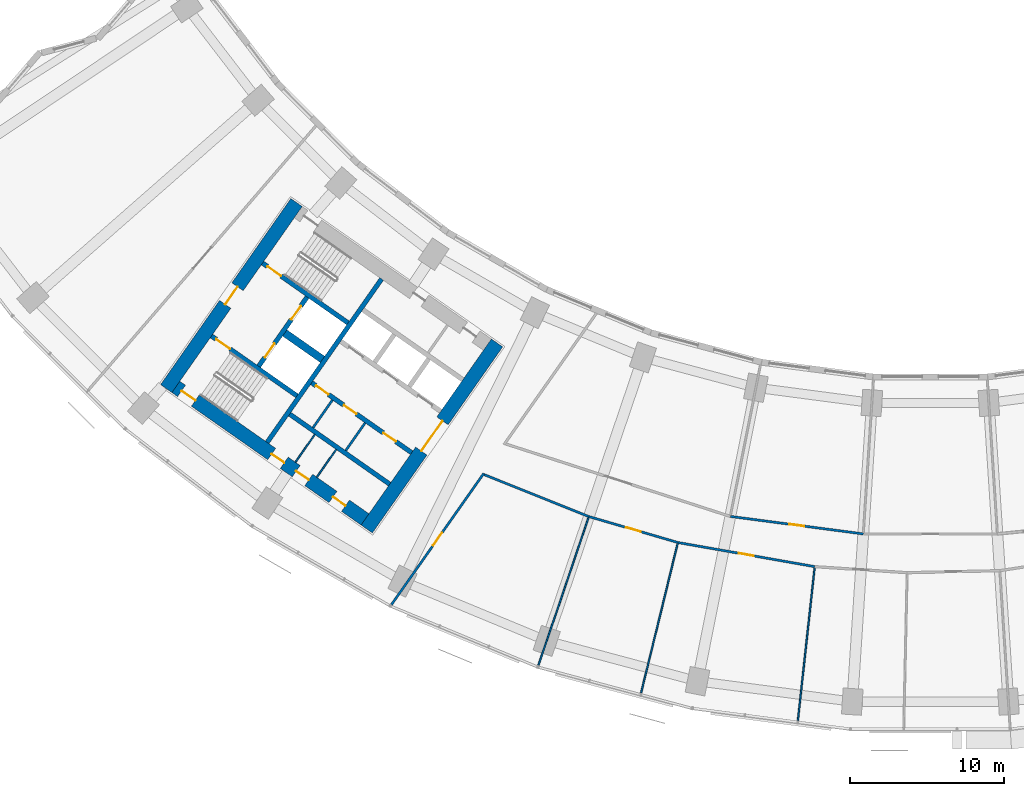
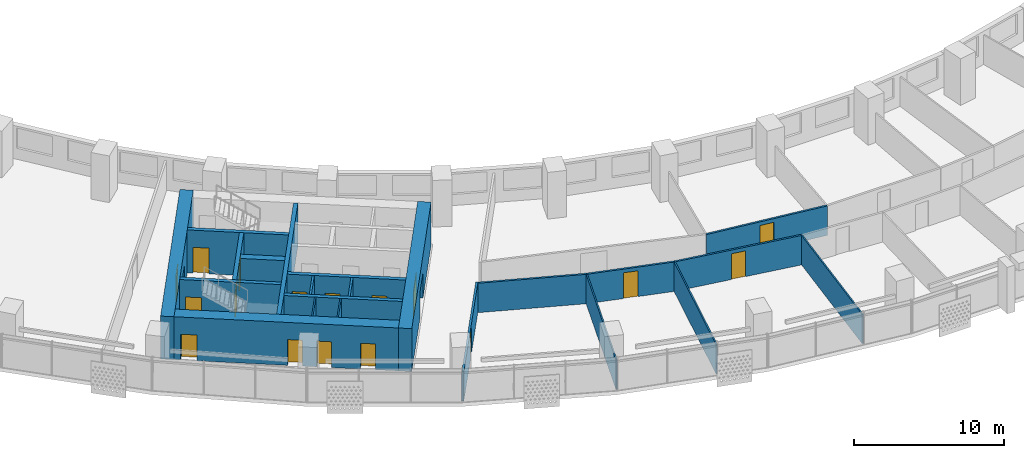
# One storey, part 3 of 31: 22 walls, 17 doors, 17 openings.
"""IFC4 building model written with IfcOpenShell, lengths in metres."""

import ifcopenshell
import ifcopenshell.guid

model = None  # the IFC model being written
_history = None  # IfcOwnerHistory: only IFC2X3 demands one
_inside = {}  # id of a spatial element -> (the spatial element, [elements in it])
_under = {}  # id of a project, library or spatial element -> (it, [spatial elements below it])
_declared = {}  # id of a project -> (the project, [libraries it declares])
_typed = {}  # id of a type object -> (the type object, [elements of that type])
_made_of = {}  # id of a material, layer set ... -> (it, [elements and type objects made of it])


def new_model(schema):
    """Start an empty IFC model of exactly this schema.

    Asked for "IFC4X3", IfcOpenShell would pick the latest addendum, in which some entities
    have other attributes; the version numbers below select the first issue.
    IFC2X3 requires an IfcOwnerHistory on every rooted entity: one is made here for all.
    """
    global model, _history
    if schema == "IFC4X3":
        model = ifcopenshell.file(schema_version=(4, 3, 0, 0))
    else:
        model = ifcopenshell.file(schema=schema)
    _inside.clear()
    _under.clear()
    _declared.clear()
    _typed.clear()
    _made_of.clear()
    _history = None
    if model.schema == "IFC2X3":
        org = make("IfcOrganization", Name="unknown")
        user = make(
            "IfcPersonAndOrganization",
            ThePerson=make("IfcPerson", FamilyName="unknown"),
            TheOrganization=org,
        )
        app = make(
            "IfcApplication",
            ApplicationDeveloper=org,
            Version="unknown",
            ApplicationFullName="unknown",
            ApplicationIdentifier="unknown",
        )
        _history = make(
            "IfcOwnerHistory",
            OwningUser=user,
            OwningApplication=app,
            ChangeAction="ADDED",
            CreationDate=0,
        )
    return model


def make(cls, **values):
    """One entity of the class cls with the attributes given. An attribute that is None is left unset."""
    return model.create_entity(
        cls, **{name: value for name, value in values.items() if value is not None}
    )


def rooted(cls, **values):
    """An entity with a GlobalId (a new one), such as an element, a storey or a relation."""
    return make(cls, GlobalId=ifcopenshell.guid.new(), OwnerHistory=_history, **values)


def si_unit(unit_type, name, prefix=None):
    """IfcSIUnit, for example si_unit("LENGTHUNIT", "METRE", prefix="MILLI")."""
    return make("IfcSIUnit", UnitType=unit_type, Prefix=prefix, Name=name)


def assignment(units):
    """IfcUnitAssignment: the units of a project."""
    return None if units is None else make("IfcUnitAssignment", Units=units)


def point(xyz):
    """IfcCartesianPoint."""
    return None if xyz is None else make("IfcCartesianPoint", Coordinates=xyz)


def direction(xyz):
    """IfcDirection."""
    return None if xyz is None else make("IfcDirection", DirectionRatios=xyz)


def frame(location, z_axis=None, x_axis=None):
    """IfcAxis2Placement3D, a coordinate frame: its origin and axes. An axis left out is left unset."""
    return make(
        "IfcAxis2Placement3D",
        Location=point(location),
        Axis=direction(z_axis),
        RefDirection=direction(x_axis),
    )


def frame_2d(location, x_axis=None):
    """IfcAxis2Placement2D, a coordinate frame in the plane: its origin and x axis."""
    return make(
        "IfcAxis2Placement2D", Location=point(location), RefDirection=direction(x_axis)
    )


def origin():
    """The frame at (0, 0, 0) with its axes left unset."""
    return frame((0.0, 0.0, 0.0))


def place(relative_to, where):
    """IfcLocalPlacement: puts the frame where relative to a parent placement (None: the world)."""
    return make(
        "IfcLocalPlacement", PlacementRelTo=relative_to, RelativePlacement=where
    )


def context(
    kind, dimensions, precision=None, world=None, true_north=None, identifier=None
):
    """IfcGeometricRepresentationContext, for example the 3D "Model" context."""
    return make(
        "IfcGeometricRepresentationContext",
        ContextIdentifier=identifier,
        ContextType=kind,
        CoordinateSpaceDimension=dimensions,
        Precision=precision,
        WorldCoordinateSystem=world,
        TrueNorth=true_north,
    )


def subcontext(parent, identifier, kind, view, scale=None):
    """IfcGeometricRepresentationSubContext, for example "Body" below "Model"."""
    return make(
        "IfcGeometricRepresentationSubContext",
        ContextIdentifier=identifier,
        ContextType=kind,
        ParentContext=parent,
        TargetScale=scale,
        TargetView=view,
    )


def project(units=None, contexts=None):
    """IfcProject with its units and contexts."""
    return rooted(
        "IfcProject",
        Name="project",
        RepresentationContexts=contexts,
        UnitsInContext=assignment(units),
    )


def spatial(cls, under=None, at=None, **own):
    """A site, building, storey or space (cls), placed at a placement, below another one or the project."""
    s = rooted(cls, ObjectPlacement=at, **own)
    if under is not None:
        _under.setdefault(under.id(), (under, []))[1].append(s)
    return s


def profile(cls, at=None, kind="AREA", **sizes):
    """A parametric profile (cls). Its sizes go by their IFC names, for example OverallWidth=200.0."""
    return make(cls, ProfileType=kind, Position=at, **sizes)


def rectangle(**sizes):
    """IfcRectangleProfileDef."""
    return profile("IfcRectangleProfileDef", **sizes)


def extrude(swept, where, along, depth):
    """IfcExtrudedAreaSolid: the profile swept, set in the frame where, extruded along a direction by depth."""
    return make(
        "IfcExtrudedAreaSolid",
        SweptArea=swept,
        Position=where,
        ExtrudedDirection=direction(along),
        Depth=depth,
    )


def shape(context_of_items, identifier, shape_type, items):
    """IfcShapeRepresentation: the items that make up one representation, for example the "Body"."""
    return make(
        "IfcShapeRepresentation",
        ContextOfItems=context_of_items,
        RepresentationIdentifier=identifier,
        RepresentationType=shape_type,
        Items=items,
    )


def material(Name=None, Category=None):
    """IfcMaterial."""
    return make("IfcMaterial", Name=Name, Category=Category)


def layer(
    of_material, thickness, ventilated=None, Name=None, Category=None, Priority=None
):
    """IfcMaterialLayer: one layer of a wall or slab, of a material (None: an air gap)."""
    return make(
        "IfcMaterialLayer",
        Material=of_material,
        LayerThickness=thickness,
        IsVentilated=ventilated,
        Name=Name,
        Category=Category,
        Priority=Priority,
    )


def layer_set(layers, Name=None):
    """IfcMaterialLayerSet."""
    return make("IfcMaterialLayerSet", MaterialLayers=layers, LayerSetName=Name)


def made_of(thing, what):
    """Note that an element or type object is made of a material, layer set ...; save() writes the relation."""
    if what is not None:
        _made_of.setdefault(what.id(), (what, []))[1].append(thing)
    return thing


def type_object(cls, material=None, **own):
    """A type object (cls), such as IfcWallType, which elements share."""
    return made_of(rooted(cls, **own), material)


def element(
    cls,
    number,
    at=None,
    inside=None,
    cuts=None,
    type_object=None,
    material=None,
    context=None,
    identifier="Body",
    shape_type=None,
    held_by="IfcProductDefinitionShape",
    body=None,
    shapes=None,
    **own,
):
    """One element of the class cls, such as IfcWall. Its Tag is "e" and its number.

    at: its placement. inside: the storey or other place that contains it. cuts: it is an
    opening in that element (IfcRelVoidsElement). A single representation is given by context,
    identifier, shape_type and body (its items); several are given by shapes. held_by: the class
    of the entity that holds the representations. save() writes the other relations.
    """
    e = rooted(cls, Tag="e%d" % number, ObjectPlacement=at, **own)
    if body is not None:
        shapes = [shape(context, identifier, shape_type, body)]
    if shapes is not None:
        e.Representation = make(held_by, Representations=shapes)
    if inside is not None:
        _inside.setdefault(inside.id(), (inside, []))[1].append(e)
    if cuts is not None:
        rooted(
            "IfcRelVoidsElement", RelatingBuildingElement=cuts, RelatedOpeningElement=e
        )
    if type_object is not None:
        _typed.setdefault(type_object.id(), (type_object, []))[1].append(e)
    return made_of(e, material)


def fill(opening, filler):
    """IfcRelFillsElement: the door or window that sits in an opening."""
    return rooted(
        "IfcRelFillsElement",
        RelatingOpeningElement=opening,
        RelatedBuildingElement=filler,
    )


def aggregate(whole, parts):
    """IfcRelAggregates: a whole, such as a stair, and the parts it consists of."""
    return rooted("IfcRelAggregates", RelatingObject=whole, RelatedObjects=parts)


def save(model, path):
    """Write the relations noted so far, then the file.

    IfcRelAggregates (storeys below a building ...), IfcRelContainedInSpatialStructure (elements
    in a storey), IfcRelDefinesByType, IfcRelAssociatesMaterial and IfcRelDeclares: one each for
    every whole, place, type object, material and project.
    """
    for whole, parts in _under.values():
        aggregate(whole, parts)
    for where, things in _inside.values():
        rooted(
            "IfcRelContainedInSpatialStructure",
            RelatedElements=things,
            RelatingStructure=where,
        )
    for kind, things in _typed.values():
        rooted("IfcRelDefinesByType", RelatedObjects=things, RelatingType=kind)
    for what, things in _made_of.values():
        rooted("IfcRelAssociatesMaterial", RelatedObjects=things, RelatingMaterial=what)
    for by, libraries in _declared.values():
        rooted("IfcRelDeclares", RelatingContext=by, RelatedDefinitions=libraries)
    model.write(path)


model = new_model("IFC4")

# Units and contexts
model_context = context("Model", 3, precision=1e-05, world=origin(), true_north=direction((0.0, 1.0)))
body_context = subcontext(model_context, "Body", "Model", "MODEL_VIEW")
ifc_project = project(units=[si_unit("LENGTHUNIT", "METRE"), si_unit("AREAUNIT", "SQUARE_METRE"), si_unit("VOLUMEUNIT", "CUBIC_METRE"), si_unit("PLANEANGLEUNIT", "RADIAN"), si_unit("MASSUNIT", "GRAM", prefix="KILO")], contexts=[model_context])

# Site, building, storey
site_placement = place(None, origin())
site = spatial("IfcSite", under=ifc_project, at=site_placement, CompositionType="ELEMENT")
building_placement = place(site_placement, origin())
building = spatial("IfcBuilding", under=site, at=building_placement, Name="Qamariyya Broadcast Tower", CompositionType="ELEMENT")
storey_placement = place(building_placement, frame((0.0, 0.0, 51.89990234375)))
storey = spatial("IfcBuildingStorey", under=building, at=storey_placement, Name="L09", CompositionType="ELEMENT", Elevation=51.89990234375)

# Wall, opening, door
ifc_material_1 = material(Name="Concrete C70/85", Category="concrete")
ifc_layer_1 = layer(ifc_material_1, 0.89990234375)
ifc_layer_set_1 = layer_set([ifc_layer_1], Name="Core wall 900 mm Concrete C70/85")
wall_type_1 = type_object("IfcWallType", Name="Core wall 900 mm Concrete C70/85", PredefinedType="SHEAR", material=ifc_layer_set_1)
wall_1_placement = place(storey_placement, frame((-36.716796875, -66.3369140625, 0.0), z_axis=(0.0, 0.0, 1.0), x_axis=(0.573577477574, 0.819151315216, 0.0)))
wall_1 = element("IfcWall", 1, at=wall_1_placement, inside=storey, type_object=wall_type_1, Name="k-W-L09-WA", PredefinedType="SHEAR", context=body_context, shape_type="SweptSolid", body=[
    extrude(rectangle(XDim=14.800048828125, YDim=0.89990234375, at=frame_2d((7.39990234375, 0.0))), origin(), (0.0, 0.0, 1.0), 3.5),
])
opening_1_placement = place(wall_1_placement, frame((6.199951171875, 0.0, 0.0)))
opening_1 = element("IfcOpeningElement", 2, at=opening_1_placement, cuts=wall_1, Name="Opening KD3-W1", PredefinedType="OPENING", context=body_context, shape_type="SweptSolid", body=[
    extrude(rectangle(XDim=2.39990234375, YDim=2.10009765625, at=frame_2d((1.199951171875, 1.050048828125))), frame((0.0, 0.4599609375, 0.0), z_axis=(0.0, -1.0, 0.0), x_axis=(1.0, 0.0, 0.0)), (0.0, 0.0, 1.0), 0.919921875),
])
ifc_material_2 = material(Name="Steel fire-resisting door leaf", Category="steel")
door_type_1 = type_object("IfcDoorType", Name="Lift lobby door KD3", OperationType="DOUBLE_DOOR_SINGLE_SWING", PredefinedType="DOOR", material=ifc_material_2)
door_1_placement = place(opening_1_placement, origin())
door_1 = element("IfcDoor", 3, at=door_1_placement, inside=storey, type_object=door_type_1, Name="k-W-L09-WA-D1", OperationType="DOUBLE_DOOR_SINGLE_SWING", OverallHeight=2.10009765625, OverallWidth=2.39990234375, PredefinedType="DOOR", context=body_context, shape_type="SweptSolid", body=[
    extrude(rectangle(XDim=2.39990234375, YDim=2.10009765625, at=frame_2d((1.199951171875, 1.050048828125))), frame((0.0, 0.02490234375, 0.0), z_axis=(0.0, -1.0, 0.0), x_axis=(1.0, 0.0, 0.0)), (0.0, 0.0, 1.0), 0.050048828125),
])
fill(opening_1, door_1)

wall_2_placement = place(storey_placement, frame((-49.778564453125, -57.191162109375, 0.0), z_axis=(0.0, 0.0, 1.0), x_axis=(0.573577477574, 0.819151315216, 0.0)))
wall_2 = element("IfcWall", 4, at=wall_2_placement, inside=storey, type_object=wall_type_1, Name="k-W-L09-WH", PredefinedType="SHEAR", context=body_context, shape_type="SweptSolid", body=[
    extrude(rectangle(XDim=14.800048828125, YDim=0.89990234375, at=frame_2d((7.39990234375, 0.0))), origin(), (0.0, 0.0, 1.0), 3.5),
])
opening_2_placement = place(wall_2_placement, frame((6.699951171875, 0.0, 0.0)))
opening_2 = element("IfcOpeningElement", 5, at=opening_2_placement, cuts=wall_2, Name="Opening KD2-W1", PredefinedType="OPENING", context=body_context, shape_type="SweptSolid", body=[
    extrude(rectangle(XDim=1.39990234375, YDim=2.10009765625, at=frame_2d((0.699951171875, 1.050048828125))), frame((0.0, 0.4599609375, 0.0), z_axis=(0.0, -1.0, 0.0), x_axis=(1.0, 0.0, 0.0)), (0.0, 0.0, 1.0), 0.919921875),
])
door_type_2 = type_object("IfcDoorType", Name="Fire-fighting lobby door KD2", OperationType="DOUBLE_DOOR_SINGLE_SWING", PredefinedType="DOOR", material=ifc_material_2)
door_2_placement = place(opening_2_placement, origin())
door_2 = element("IfcDoor", 6, at=door_2_placement, inside=storey, type_object=door_type_2, Name="k-W-L09-WH-D15", OperationType="DOUBLE_DOOR_SINGLE_SWING", OverallHeight=2.10009765625, OverallWidth=1.39990234375, PredefinedType="DOOR", context=body_context, shape_type="SweptSolid", body=[
    extrude(rectangle(XDim=1.39990234375, YDim=2.10009765625, at=frame_2d((0.699951171875, 1.050048828125))), frame((0.0, 0.02490234375, 0.0), z_axis=(0.0, -1.0, 0.0), x_axis=(1.0, 0.0, 0.0)), (0.0, 0.0, 1.0), 0.050048828125),
])
fill(opening_2, door_2)

# Wall, openings, doors
wall_3_placement = place(storey_placement, frame((-36.827392578125, -65.710205078125, 0.0), z_axis=(0.0, 0.0, 1.0), x_axis=(-0.819153391756, 0.573574511963, 0.0)))
wall_3 = element("IfcWall", 7, at=wall_3_placement, inside=storey, type_object=wall_type_1, Name="k-W-L09-WO", PredefinedType="SHEAR", context=body_context, shape_type="SweptSolid", body=[
    extrude(rectangle(XDim=15.04541015625, YDim=0.89990234375, at=frame_2d((7.522705078125, 0.0))), origin(), (0.0, 0.0, 1.0), 3.5),
])
opening_3_placement = place(wall_3_placement, frame((1.550048828125, 0.0, 0.0)))
opening_3 = element("IfcOpeningElement", 8, at=opening_3_placement, cuts=wall_3, Name="Opening KD4-W2", PredefinedType="OPENING", context=body_context, shape_type="SweptSolid", body=[
    extrude(rectangle(XDim=1.0, YDim=2.10009765625, at=frame_2d((0.5, 1.050048828125))), frame((0.0, 0.4599609375, 0.0), z_axis=(0.0, -1.0, 0.0), x_axis=(1.0, 0.0, 0.0)), (0.0, 0.0, 1.0), 0.919921875),
])
opening_4_placement = place(wall_3_placement, frame((4.47509765625, 0.0, 0.0)))
opening_4 = element("IfcOpeningElement", 9, at=opening_4_placement, cuts=wall_3, Name="Opening KD4-W3", PredefinedType="OPENING", context=body_context, shape_type="SweptSolid", body=[
    extrude(rectangle(XDim=1.0, YDim=2.10009765625, at=frame_2d((0.5, 1.050048828125))), frame((0.0, 0.4599609375, 0.0), z_axis=(0.0, -1.0, 0.0), x_axis=(1.0, 0.0, 0.0)), (0.0, 0.0, 1.0), 0.919921875),
])
opening_5_placement = place(wall_3_placement, frame((6.425048828125, 0.0, 0.0)))
opening_5 = element("IfcOpeningElement", 10, at=opening_5_placement, cuts=wall_3, Name="Opening KD4-W4", PredefinedType="OPENING", context=body_context, shape_type="SweptSolid", body=[
    extrude(rectangle(XDim=1.0, YDim=2.10009765625, at=frame_2d((0.5, 1.050048828125))), frame((0.0, 0.4599609375, 0.0), z_axis=(0.0, -1.0, 0.0), x_axis=(1.0, 0.0, 0.0)), (0.0, 0.0, 1.0), 0.919921875),
])
opening_6_placement = place(wall_3_placement, frame((13.495361328125, 0.0, 0.0)))
opening_6 = element("IfcOpeningElement", 11, at=opening_6_placement, cuts=wall_3, Name="Opening KD1-W3", PredefinedType="OPENING", context=body_context, shape_type="SweptSolid", body=[
    extrude(rectangle(XDim=1.10009765625, YDim=2.10009765625, at=frame_2d((0.550048828125, 1.050048828125))), frame((0.0, 0.4599609375, 0.0), z_axis=(0.0, -1.0, 0.0), x_axis=(1.0, 0.0, 0.0)), (0.0, 0.0, 1.0), 0.919921875),
])
door_type_3 = type_object("IfcDoorType", Name="Riser and plant door KD4", OperationType="SINGLE_SWING_LEFT", PredefinedType="DOOR", material=ifc_material_2)
door_3_placement = place(opening_3_placement, origin())
door_3 = element("IfcDoor", 12, at=door_3_placement, inside=storey, type_object=door_type_3, Name="k-W-L09-WO-D10", OperationType="SINGLE_SWING_LEFT", OverallHeight=2.10009765625, OverallWidth=1.0, PredefinedType="DOOR", context=body_context, shape_type="SweptSolid", body=[
    extrude(rectangle(XDim=1.0, YDim=2.10009765625, at=frame_2d((0.5, 1.050048828125))), frame((0.0, 0.02490234375, 0.0), z_axis=(0.0, -1.0, 0.0), x_axis=(1.0, 0.0, 0.0)), (0.0, 0.0, 1.0), 0.050048828125),
])
fill(opening_3, door_3)
door_4_placement = place(opening_4_placement, origin())
door_4 = element("IfcDoor", 13, at=door_4_placement, inside=storey, type_object=door_type_3, Name="k-W-L09-WO-D11", OperationType="SINGLE_SWING_RIGHT", OverallHeight=2.10009765625, OverallWidth=1.0, PredefinedType="DOOR", context=body_context, shape_type="SweptSolid", body=[
    extrude(rectangle(XDim=1.0, YDim=2.10009765625, at=frame_2d((0.5, 1.050048828125))), frame((0.0, 0.02490234375, 0.0), z_axis=(0.0, -1.0, 0.0), x_axis=(1.0, 0.0, 0.0)), (0.0, 0.0, 1.0), 0.050048828125),
])
fill(opening_4, door_4)
door_5_placement = place(opening_5_placement, origin())
door_5 = element("IfcDoor", 14, at=door_5_placement, inside=storey, type_object=door_type_3, Name="k-W-L09-WO-D12", OperationType="SINGLE_SWING_LEFT", OverallHeight=2.10009765625, OverallWidth=1.0, PredefinedType="DOOR", context=body_context, shape_type="SweptSolid", body=[
    extrude(rectangle(XDim=1.0, YDim=2.10009765625, at=frame_2d((0.5, 1.050048828125))), frame((0.0, 0.02490234375, 0.0), z_axis=(0.0, -1.0, 0.0), x_axis=(1.0, 0.0, 0.0)), (0.0, 0.0, 1.0), 0.050048828125),
])
fill(opening_5, door_5)
door_type_4 = type_object("IfcDoorType", Name="Stair door KD1", OperationType="SINGLE_SWING_LEFT", PredefinedType="DOOR", material=ifc_material_2)
door_6_placement = place(opening_6_placement, origin())
door_6 = element("IfcDoor", 15, at=door_6_placement, inside=storey, type_object=door_type_4, Name="k-W-L09-WO-D18", OperationType="SINGLE_SWING_LEFT", OverallHeight=2.10009765625, OverallWidth=1.10009765625, PredefinedType="DOOR", context=body_context, shape_type="SweptSolid", body=[
    extrude(rectangle(XDim=1.10009765625, YDim=2.10009765625, at=frame_2d((0.550048828125, 1.050048828125))), frame((0.0, 0.02490234375, 0.0), z_axis=(0.0, -1.0, 0.0), x_axis=(1.0, 0.0, 0.0)), (0.0, 0.0, 1.0), 0.050048828125),
])
fill(opening_6, door_6)

# Wall, opening, door
ifc_material_3 = material(Name="Gypsum board partition")
ifc_layer_2 = layer(ifc_material_3, 0.14990234375)
ifc_layer_set_2 = layer_set([ifc_layer_2], Name="Corridor partition 150 EI 60")
wall_type_2 = type_object("IfcWallType", Name="Corridor partition 150 EI 60", PredefinedType="PARTITIONING", material=ifc_layer_set_2)
wall_4_placement = place(storey_placement, frame((-29.087890625, -62.708251953125, 0.0), z_axis=(0.0, 0.0, 1.0), x_axis=(-0.575411972256, -0.817863718589, 0.0)))
wall_4 = element("IfcWall", 16, at=wall_4_placement, inside=storey, type_object=wall_type_2, Name="Partition L09-002", PredefinedType="PARTITIONING", context=body_context, shape_type="SweptSolid", body=[
    extrude(rectangle(XDim=10.471435546875, YDim=0.14990234375, at=frame_2d((5.23583984375, 0.0))), origin(), (0.0, 0.0, 1.0), 2.400146484375),
])
opening_7_placement = place(wall_4_placement, frame((4.735595703125, 0.0, 0.0)))
opening_7 = element("IfcOpeningElement", 17, at=opening_7_placement, cuts=wall_4, Name="Opening L09-D01", PredefinedType="OPENING", context=body_context, shape_type="SweptSolid", body=[
    extrude(rectangle(XDim=1.0, YDim=2.10009765625, at=frame_2d((0.5, 1.050048828125))), frame((0.0, 0.0849609375, 0.0), z_axis=(0.0, -1.0, 0.0), x_axis=(1.0, 0.0, 0.0)), (0.0, 0.0, 1.0), 0.169921875),
])
ifc_material_4 = material(Name="Timber fire door leaf", Category="wood")
door_type_5 = type_object("IfcDoorType", Name="Fire door 1000 x 2100 FD60", OperationType="NOTDEFINED", PredefinedType="DOOR", material=ifc_material_4)
door_7_placement = place(opening_7_placement, origin())
door_7 = element("IfcDoor", 18, at=door_7_placement, inside=storey, type_object=door_type_5, Name="Door L09-D01", OperationType="SINGLE_SWING_RIGHT", OverallHeight=2.10009765625, OverallWidth=1.0, PredefinedType="DOOR", context=body_context, shape_type="SweptSolid", body=[
    extrude(rectangle(XDim=1.0, YDim=2.10009765625, at=frame_2d((0.5, 1.050048828125))), frame((0.0, 0.02490234375, 0.0), z_axis=(0.0, -1.0, 0.0), x_axis=(1.0, 0.0, 0.0)), (0.0, 0.0, 1.0), 0.050048828125),
])
fill(opening_7, door_7)

# Wall
wall_5_placement = place(storey_placement, frame((-29.061279296875, -62.797607421875, 0.0), z_axis=(0.0, 0.0, 1.0), x_axis=(0.928339065762, -0.371734554462, 0.0)))
element("IfcWall", 19, at=wall_5_placement, inside=storey, type_object=wall_type_2, Name="Partition L09-003", PredefinedType="PARTITIONING", context=body_context, shape_type="SweptSolid", body=[
    extrude(rectangle(XDim=7.343994140625, YDim=0.14990234375, at=frame_2d((3.671875, 0.0))), origin(), (0.0, 0.0, 1.0), 2.400146484375),
])

# Wall, opening, door
wall_6_placement = place(storey_placement, frame((-16.446044921875, -67.21728515625, 0.0), z_axis=(0.0, 0.0, 1.0), x_axis=(-0.960056580345, 0.279805937279, 0.0)))
wall_6 = element("IfcWall", 20, at=wall_6_placement, inside=storey, type_object=wall_type_2, Name="Partition L09-006", PredefinedType="PARTITIONING", context=body_context, shape_type="SweptSolid", body=[
    extrude(rectangle(XDim=6.038818359375, YDim=0.14990234375, at=frame_2d((3.01953125, 0.0))), origin(), (0.0, 0.0, 1.0), 2.400146484375),
])
opening_8_placement = place(wall_6_placement, frame((2.51953125, 0.0, 0.0)))
opening_8 = element("IfcOpeningElement", 21, at=opening_8_placement, cuts=wall_6, Name="Opening L09-D02", PredefinedType="OPENING", context=body_context, shape_type="SweptSolid", body=[
    extrude(rectangle(XDim=1.0, YDim=2.10009765625, at=frame_2d((0.5, 1.050048828125))), frame((0.0, 0.0849609375, 0.0), z_axis=(0.0, -1.0, 0.0), x_axis=(1.0, 0.0, 0.0)), (0.0, 0.0, 1.0), 0.169921875),
])
door_8_placement = place(opening_8_placement, origin())
door_8 = element("IfcDoor", 22, at=door_8_placement, inside=storey, type_object=door_type_5, Name="Door L09-D02", OperationType="SINGLE_SWING_RIGHT", OverallHeight=2.10009765625, OverallWidth=1.0, PredefinedType="DOOR", context=body_context, shape_type="SweptSolid", body=[
    extrude(rectangle(XDim=1.0, YDim=2.10009765625, at=frame_2d((0.5, 1.050048828125))), frame((0.0, 0.02490234375, 0.0), z_axis=(0.0, -1.0, 0.0), x_axis=(1.0, 0.0, 0.0)), (0.0, 0.0, 1.0), 0.050048828125),
])
fill(opening_8, door_8)

wall_7_placement = place(storey_placement, frame((-7.53173828125, -68.788818359375, 0.0), z_axis=(0.0, 0.0, 1.0), x_axis=(-0.984813412134, 0.173616080133, 0.0)))
wall_7 = element("IfcWall", 23, at=wall_7_placement, inside=storey, type_object=wall_type_2, Name="Partition L09-009", PredefinedType="PARTITIONING", context=body_context, shape_type="SweptSolid", body=[
    extrude(rectangle(XDim=9.0517578125, YDim=0.14990234375, at=frame_2d((4.52587890625, 0.0))), origin(), (0.0, 0.0, 1.0), 2.400146484375),
])
opening_9_placement = place(wall_7_placement, frame((4.02587890625, 0.0, 0.0)))
opening_9 = element("IfcOpeningElement", 24, at=opening_9_placement, cuts=wall_7, Name="Opening L09-D03", PredefinedType="OPENING", context=body_context, shape_type="SweptSolid", body=[
    extrude(rectangle(XDim=1.0, YDim=2.10009765625, at=frame_2d((0.5, 1.050048828125))), frame((0.0, 0.0849609375, 0.0), z_axis=(0.0, -1.0, 0.0), x_axis=(1.0, 0.0, 0.0)), (0.0, 0.0, 1.0), 0.169921875),
])
door_9_placement = place(opening_9_placement, origin())
door_9 = element("IfcDoor", 25, at=door_9_placement, inside=storey, type_object=door_type_5, Name="Door L09-D03", OperationType="SINGLE_SWING_RIGHT", OverallHeight=2.10009765625, OverallWidth=1.0, PredefinedType="DOOR", context=body_context, shape_type="SweptSolid", body=[
    extrude(rectangle(XDim=1.0, YDim=2.10009765625, at=frame_2d((0.5, 1.050048828125))), frame((0.0, 0.02490234375, 0.0), z_axis=(0.0, -1.0, 0.0), x_axis=(1.0, 0.0, 0.0)), (0.0, 0.0, 1.0), 0.050048828125),
])
fill(opening_9, door_9)

wall_8_placement = place(storey_placement, frame((-13.031982421875, -65.516357421875, 0.0), z_axis=(0.0, 0.0, 1.0), x_axis=(0.991443260322, -0.130538352841, 0.0)))
wall_8 = element("IfcWall", 26, at=wall_8_placement, inside=storey, type_object=wall_type_2, Name="Partition L09-010", PredefinedType="PARTITIONING", context=body_context, shape_type="SweptSolid", body=[
    extrude(rectangle(XDim=8.73779296875, YDim=0.14990234375, at=frame_2d((4.368896484375, 0.0))), origin(), (0.0, 0.0, 1.0), 2.400146484375),
])
opening_10_placement = place(wall_8_placement, frame((3.868896484375, 0.0, 0.0)))
opening_10 = element("IfcOpeningElement", 27, at=opening_10_placement, cuts=wall_8, Name="Opening L09-D08", PredefinedType="OPENING", context=body_context, shape_type="SweptSolid", body=[
    extrude(rectangle(XDim=1.0, YDim=2.10009765625, at=frame_2d((0.5, 1.050048828125))), frame((0.0, 0.0849609375, 0.0), z_axis=(0.0, -1.0, 0.0), x_axis=(1.0, 0.0, 0.0)), (0.0, 0.0, 1.0), 0.169921875),
])
door_10_placement = place(opening_10_placement, origin())
door_10 = element("IfcDoor", 28, at=door_10_placement, inside=storey, type_object=door_type_5, Name="Door L09-D08", OperationType="SINGLE_SWING_RIGHT", OverallHeight=2.10009765625, OverallWidth=1.0, PredefinedType="DOOR", context=body_context, shape_type="SweptSolid", body=[
    extrude(rectangle(XDim=1.0, YDim=2.10009765625, at=frame_2d((0.5, 1.050048828125))), frame((0.0, 0.02490234375, 0.0), z_axis=(0.0, -1.0, 0.0), x_axis=(1.0, 0.0, 0.0)), (0.0, 0.0, 1.0), 0.050048828125),
])
fill(opening_10, door_10)

# Walls
ifc_material_5 = material(Name="Concrete C60/75", Category="concrete")
ifc_layer_3 = layer(ifc_material_5, 0.5)
ifc_layer_set_3 = layer_set([ifc_layer_3], Name="Fire-fighting lobby divider wall 500 mm Concrete C60/75")
wall_type_3 = type_object("IfcWallType", Name="Fire-fighting lobby divider wall 500 mm Concrete C60/75", PredefinedType="SOLIDWALL", material=ifc_layer_set_3)
wall_9_placement = place(storey_placement, frame((-39.59912109375, -55.28515625, 0.0), z_axis=(0.0, 0.0, 1.0), x_axis=(-0.819136323161, 0.573598887793, 0.0)))
element("IfcWall", 29, at=wall_9_placement, inside=storey, type_object=wall_type_3, Name="k-W-L09-FD", PredefinedType="SOLIDWALL", context=body_context, shape_type="SweptSolid", body=[
    extrude(rectangle(XDim=2.999755859375, YDim=0.5, at=frame_2d((1.5, 0.0))), origin(), (0.0, 0.0, 1.0), 3.5),
])
ifc_material_6 = material(Name="Gypsum board partition on steel studs", Category="steel")
ifc_layer_4 = layer(ifc_material_6, 0.14990234375)
ifc_layer_set_4 = layer_set([ifc_layer_4], Name="Gypsum board partition 150 mm")
wall_type_4 = type_object("IfcWallType", Name="Gypsum board partition 150 mm", PredefinedType="PARTITIONING", material=ifc_layer_set_4)
for number, where, z_axis, x_axis, name in (
    (30, (-36.822509765625, -59.4267578125, 0.0), (0.0, 0.0, 1.0), (-0.573507030513, -0.819200638399, 0.0), "k-W-L09-SC360"),
    (31, (-38.9521484375, -57.935546875, 0.0), (0.0, 0.0, 1.0), (-0.573633636671, -0.819111989218, 0.0), "k-W-L09-SC620"),
):
    element("IfcWall", number, at=place(storey_placement, frame(where, z_axis=z_axis, x_axis=x_axis)), inside=storey, type_object=wall_type_4, Name=name, PredefinedType="PARTITIONING", context=body_context, shape_type="SweptSolid", body=[
        extrude(rectangle(XDim=2.199951171875, YDim=0.14990234375, at=frame_2d((1.10009765625, 0.0))), origin(), (0.0, 0.0, 1.0), 3.5),
    ])
ifc_layer_5 = layer(ifc_material_5, 0.300048828125)
ifc_layer_set_5 = layer_set([ifc_layer_5], Name="Lift shaft wall 300 mm Concrete C60/75")
wall_type_5 = type_object("IfcWallType", Name="Lift shaft wall 300 mm Concrete C60/75", PredefinedType="SOLIDWALL", material=ifc_layer_set_5)
wall_10_placement = place(storey_placement, frame((-43.204345703125, -60.69580078125, 0.0), z_axis=(0.0, 0.0, 1.0), x_axis=(0.573571992966, 0.819155155563, 0.0)))
element("IfcWall", 32, at=wall_10_placement, inside=storey, type_object=wall_type_5, Name="k-W-L09-WL", PredefinedType="SOLIDWALL", context=body_context, shape_type="SweptSolid", body=[
    extrude(rectangle(XDim=13.000244140625, YDim=0.300048828125, at=frame_2d((6.5, 0.0))), origin(), (0.0, 0.0, 1.0), 3.5),
])

# Wall, openings, doors
wall_11_placement = place(storey_placement, frame((-33.787353515625, -61.368896484375, 0.0), z_axis=(0.0, 0.0, 1.0), x_axis=(-0.819152564888, 0.573575692858, 0.0)))
wall_11 = element("IfcWall", 33, at=wall_11_placement, inside=storey, type_object=wall_type_5, Name="k-W-L09-SF0", PredefinedType="SOLIDWALL", context=body_context, shape_type="SweptSolid", body=[
    extrude(rectangle(XDim=7.9501953125, YDim=0.300048828125, at=frame_2d((3.97509765625, 0.0))), origin(), (0.0, 0.0, 1.0), 3.5),
])
opening_11_placement = place(wall_11_placement, frame((1.262451171875, 0.0, 0.0)))
opening_11 = element("IfcOpeningElement", 34, at=opening_11_placement, cuts=wall_11, Name="Opening KD6-W1", PredefinedType="OPENING", context=body_context, shape_type="SweptSolid", body=[
    extrude(rectangle(XDim=1.0, YDim=2.10009765625, at=frame_2d((0.5, 1.050048828125))), frame((0.0, 0.159912109375, 0.0), z_axis=(0.0, -1.0, 0.0), x_axis=(1.0, 0.0, 0.0)), (0.0, 0.0, 1.0), 0.320068359375),
])
opening_12_placement = place(wall_11_placement, frame((4.39990234375, 0.0, 0.0)))
opening_12 = element("IfcOpeningElement", 35, at=opening_12_placement, cuts=wall_11, Name="Opening KD4-W1", PredefinedType="OPENING", context=body_context, shape_type="SweptSolid", body=[
    extrude(rectangle(XDim=1.0, YDim=2.10009765625, at=frame_2d((0.5, 1.050048828125))), frame((0.0, 0.159912109375, 0.0), z_axis=(0.0, -1.0, 0.0), x_axis=(1.0, 0.0, 0.0)), (0.0, 0.0, 1.0), 0.320068359375),
])
opening_13_placement = place(wall_11_placement, frame((6.612548828125, 0.0, 0.0)))
opening_13 = element("IfcOpeningElement", 36, at=opening_13_placement, cuts=wall_11, Name="Opening KD6-W2", PredefinedType="OPENING", context=body_context, shape_type="SweptSolid", body=[
    extrude(rectangle(XDim=1.0, YDim=2.10009765625, at=frame_2d((0.5, 1.050048828125))), frame((0.0, 0.159912109375, 0.0), z_axis=(0.0, -1.0, 0.0), x_axis=(1.0, 0.0, 0.0)), (0.0, 0.0, 1.0), 0.320068359375),
])
door_type_6 = type_object("IfcDoorType", Name="Core room door KD6", OperationType="SINGLE_SWING_LEFT", PredefinedType="DOOR", material=ifc_material_2)
door_11_placement = place(opening_11_placement, origin())
door_11 = element("IfcDoor", 37, at=door_11_placement, inside=storey, type_object=door_type_6, Name="k-W-L09-SF0-D5", OperationType="SINGLE_SWING_RIGHT", OverallHeight=2.10009765625, OverallWidth=1.0, PredefinedType="DOOR", context=body_context, shape_type="SweptSolid", body=[
    extrude(rectangle(XDim=1.0, YDim=2.10009765625, at=frame_2d((0.5, 1.050048828125))), frame((0.0, 0.02490234375, 0.0), z_axis=(0.0, -1.0, 0.0), x_axis=(1.0, 0.0, 0.0)), (0.0, 0.0, 1.0), 0.050048828125),
])
fill(opening_11, door_11)
door_12_placement = place(opening_13_placement, origin())
door_12 = element("IfcDoor", 38, at=door_12_placement, inside=storey, type_object=door_type_6, Name="k-W-L09-SF0-D7", OperationType="SINGLE_SWING_RIGHT", OverallHeight=2.10009765625, OverallWidth=1.0, PredefinedType="DOOR", context=body_context, shape_type="SweptSolid", body=[
    extrude(rectangle(XDim=1.0, YDim=2.10009765625, at=frame_2d((0.5, 1.050048828125))), frame((0.0, 0.02490234375, 0.0), z_axis=(0.0, -1.0, 0.0), x_axis=(1.0, 0.0, 0.0)), (0.0, 0.0, 1.0), 0.050048828125),
])
fill(opening_13, door_12)
door_13_placement = place(opening_12_placement, origin())
door_13 = element("IfcDoor", 39, at=door_13_placement, inside=storey, type_object=door_type_3, Name="k-W-L09-SF0-D6", OperationType="SINGLE_SWING_LEFT", OverallHeight=2.10009765625, OverallWidth=1.0, PredefinedType="DOOR", context=body_context, shape_type="SweptSolid", body=[
    extrude(rectangle(XDim=1.0, YDim=2.10009765625, at=frame_2d((0.5, 1.050048828125))), frame((0.0, 0.02490234375, 0.0), z_axis=(0.0, -1.0, 0.0), x_axis=(1.0, 0.0, 0.0)), (0.0, 0.0, 1.0), 0.050048828125),
])
fill(opening_12, door_13)

# Wall
wall_12_placement = place(storey_placement, frame((-35.22119140625, -63.41650390625, 0.0), z_axis=(0.0, 0.0, 1.0), x_axis=(-0.819166993208, 0.573555086491, 0.0)))
element("IfcWall", 40, at=wall_12_placement, inside=storey, type_object=wall_type_5, Name="k-W-L09-SB0", PredefinedType="SOLIDWALL", context=body_context, shape_type="SweptSolid", body=[
    extrude(rectangle(XDim=7.9501953125, YDim=0.300048828125, at=frame_2d((3.97509765625, 0.0))), origin(), (0.0, 0.0, 1.0), 3.5),
])

# Wall, opening, door
wall_13_placement = place(storey_placement, frame((-37.935546875, -52.90966796875, 0.0), z_axis=(0.0, 0.0, 1.0), x_axis=(-0.819147518138, 0.57358290031, 0.0)))
wall_13 = element("IfcWall", 41, at=wall_13_placement, inside=storey, type_object=wall_type_5, Name="k-W-L09-NW", PredefinedType="SOLIDWALL", context=body_context, shape_type="SweptSolid", body=[
    extrude(rectangle(XDim=6.79541015625, YDim=0.300048828125, at=frame_2d((3.397705078125, 0.0))), origin(), (0.0, 0.0, 1.0), 3.5),
])
opening_14_placement = place(wall_13_placement, frame((5.3203125, 0.0, 0.0)))
opening_14 = element("IfcOpeningElement", 42, at=opening_14_placement, cuts=wall_13, Name="Opening KD1-W2", PredefinedType="OPENING", context=body_context, shape_type="SweptSolid", body=[
    extrude(rectangle(XDim=1.10009765625, YDim=2.10009765625, at=frame_2d((0.550048828125, 1.050048828125))), frame((0.0, 0.159912109375, 0.0), z_axis=(0.0, -1.0, 0.0), x_axis=(1.0, 0.0, 0.0)), (0.0, 0.0, 1.0), 0.320068359375),
])
door_14_placement = place(opening_14_placement, origin())
door_14 = element("IfcDoor", 43, at=door_14_placement, inside=storey, type_object=door_type_4, Name="k-W-L09-NW-D17", OperationType="SINGLE_SWING_RIGHT", OverallHeight=2.10009765625, OverallWidth=1.10009765625, PredefinedType="DOOR", context=body_context, shape_type="SweptSolid", body=[
    extrude(rectangle(XDim=1.10009765625, YDim=2.10009765625, at=frame_2d((0.550048828125, 1.050048828125))), frame((0.0, 0.02490234375, 0.0), z_axis=(0.0, -1.0, 0.0), x_axis=(1.0, 0.0, 0.0)), (0.0, 0.0, 1.0), 0.050048828125),
])
fill(opening_14, door_14)

wall_14_placement = place(storey_placement, frame((-41.262451171875, -57.66064453125, 0.0), z_axis=(0.0, 0.0, 1.0), x_axis=(-0.819164398642, 0.573558792102, 0.0)))
wall_14 = element("IfcWall", 44, at=wall_14_placement, inside=storey, type_object=wall_type_5, Name="k-W-L09-SW", PredefinedType="SOLIDWALL", context=body_context, shape_type="SweptSolid", body=[
    extrude(rectangle(XDim=6.795166015625, YDim=0.300048828125, at=frame_2d((3.3974609375, 0.0))), origin(), (0.0, 0.0, 1.0), 3.5),
])
opening_15_placement = place(wall_14_placement, frame((5.3203125, 0.0, 0.0)))
opening_15 = element("IfcOpeningElement", 45, at=opening_15_placement, cuts=wall_14, Name="Opening KD1-W4", PredefinedType="OPENING", context=body_context, shape_type="SweptSolid", body=[
    extrude(rectangle(XDim=1.10009765625, YDim=2.10009765625, at=frame_2d((0.550048828125, 1.050048828125))), frame((0.0, 0.159912109375, 0.0), z_axis=(0.0, -1.0, 0.0), x_axis=(1.0, 0.0, 0.0)), (0.0, 0.0, 1.0), 0.320068359375),
])
door_15_placement = place(opening_15_placement, origin())
door_15 = element("IfcDoor", 46, at=door_15_placement, inside=storey, type_object=door_type_4, Name="k-W-L09-SW-D19", OperationType="SINGLE_SWING_RIGHT", OverallHeight=2.10009765625, OverallWidth=1.10009765625, PredefinedType="DOOR", context=body_context, shape_type="SweptSolid", body=[
    extrude(rectangle(XDim=1.10009765625, YDim=2.10009765625, at=frame_2d((0.550048828125, 1.050048828125))), frame((0.0, 0.02490234375, 0.0), z_axis=(0.0, -1.0, 0.0), x_axis=(1.0, 0.0, 0.0)), (0.0, 0.0, 1.0), 0.050048828125),
])
fill(opening_15, door_15)

# Wall, openings, doors
wall_15_placement = place(storey_placement, frame((-43.756591796875, -55.731201171875, 0.0), z_axis=(0.0, 0.0, 1.0), x_axis=(0.573536818435, 0.819179783625, 0.0)))
wall_15 = element("IfcWall", 47, at=wall_15_placement, inside=storey, type_object=wall_type_5, Name="k-W-L09-FF", PredefinedType="SOLIDWALL", context=body_context, shape_type="SweptSolid", body=[
    extrude(rectangle(XDim=5.500244140625, YDim=0.300048828125, at=frame_2d((2.75, 0.0))), origin(), (0.0, 0.0, 1.0), 3.5),
])
opening_16_placement = place(wall_15_placement, frame((0.699951171875, 0.0, 0.0)))
opening_16 = element("IfcOpeningElement", 48, at=opening_16_placement, cuts=wall_15, Name="Opening LD", PredefinedType="OPENING", context=body_context, shape_type="SweptSolid", body=[
    extrude(rectangle(XDim=1.10009765625, YDim=2.10009765625, at=frame_2d((0.550048828125, 1.050048828125))), frame((0.0, 0.159912109375, 0.0), z_axis=(0.0, -1.0, 0.0), x_axis=(1.0, 0.0, 0.0)), (0.0, 0.0, 1.0), 0.320068359375),
])
opening_17_placement = place(wall_15_placement, frame((3.699951171875, 0.0, 0.0)))
opening_17 = element("IfcOpeningElement", 49, at=opening_17_placement, cuts=wall_15, Name="Opening LD", PredefinedType="OPENING", context=body_context, shape_type="SweptSolid", body=[
    extrude(rectangle(XDim=1.10009765625, YDim=2.10009765625, at=frame_2d((0.550048828125, 1.050048828125))), frame((0.0, 0.159912109375, 0.0), z_axis=(0.0, -1.0, 0.0), x_axis=(1.0, 0.0, 0.0)), (0.0, 0.0, 1.0), 0.320068359375),
])
door_type_7 = type_object("IfcDoorType", Name="Lift landing door LD", OperationType="DOUBLE_DOOR_SLIDING", PredefinedType="DOOR", material=ifc_material_2)
door_16_placement = place(opening_16_placement, origin())
door_16 = element("IfcDoor", 50, at=door_16_placement, inside=storey, type_object=door_type_7, Name="k-W-L09-FF-D13", OperationType="DOUBLE_DOOR_SLIDING", OverallHeight=2.10009765625, OverallWidth=1.10009765625, PredefinedType="DOOR", context=body_context, shape_type="SweptSolid", body=[
    extrude(rectangle(XDim=1.10009765625, YDim=2.10009765625, at=frame_2d((0.550048828125, 1.050048828125))), frame((0.0, 0.02490234375, 0.0), z_axis=(0.0, -1.0, 0.0), x_axis=(1.0, 0.0, 0.0)), (0.0, 0.0, 1.0), 0.050048828125),
])
fill(opening_16, door_16)
door_17_placement = place(opening_17_placement, origin())
door_17 = element("IfcDoor", 51, at=door_17_placement, inside=storey, type_object=door_type_7, Name="k-W-L09-FF-D14", OperationType="DOUBLE_DOOR_SLIDING", OverallHeight=2.10009765625, OverallWidth=1.10009765625, PredefinedType="DOOR", context=body_context, shape_type="SweptSolid", body=[
    extrude(rectangle(XDim=1.10009765625, YDim=2.10009765625, at=frame_2d((0.550048828125, 1.050048828125))), frame((0.0, 0.02490234375, 0.0), z_axis=(0.0, -1.0, 0.0), x_axis=(1.0, 0.0, 0.0)), (0.0, 0.0, 1.0), 0.050048828125),
])
fill(opening_17, door_17)

# Walls
ifc_layer_6 = layer(ifc_material_3, 0.10009765625)
ifc_layer_set_6 = layer_set([ifc_layer_6], Name="Partition 100")
wall_type_6 = type_object("IfcWallType", Name="Partition 100", PredefinedType="PARTITIONING", material=ifc_layer_set_6)
wall_16_placement = place(storey_placement, frame((-25.538330078125, -75.233642578125, 0.0), z_axis=(0.0, 0.0, 1.0), x_axis=(0.32142736677, 0.946934236308, 0.0)))
element("IfcWall", 52, at=wall_16_placement, inside=storey, type_object=wall_type_6, Name="Partition L09-005", PredefinedType="PARTITIONING", context=body_context, shape_type="SweptSolid", body=[
    extrude(rectangle(XDim=10.175048828125, YDim=0.10009765625, at=frame_2d((5.08740234375, 0.0))), origin(), (0.0, 0.0, 1.0), 2.400146484375),
])
wall_17_placement = place(storey_placement, frame((-18.845947265625, -77.0263671875, 0.0), z_axis=(0.0, 0.0, 1.0), x_axis=(0.237655344985, 0.971349544191, 0.0)))
element("IfcWall", 53, at=wall_17_placement, inside=storey, type_object=wall_type_6, Name="Partition L09-008", PredefinedType="PARTITIONING", context=body_context, shape_type="SweptSolid", body=[
    extrude(rectangle(XDim=10.023193359375, YDim=0.10009765625, at=frame_2d((5.01171875, 0.0))), origin(), (0.0, 0.0, 1.0), 2.400146484375),
])
wall_18_placement = place(storey_placement, frame((-8.630859375, -78.827392578125, 0.0), z_axis=(0.0, 0.0, 1.0), x_axis=(0.108851448718, 0.994058027538, 0.0)))
element("IfcWall", 54, at=wall_18_placement, inside=storey, type_object=wall_type_6, Name="Partition L09-012", PredefinedType="PARTITIONING", context=body_context, shape_type="SweptSolid", body=[
    extrude(rectangle(XDim=10.0234375, YDim=0.10009765625, at=frame_2d((5.01171875, 0.0))), origin(), (0.0, 0.0, 1.0), 2.400146484375),
])
ifc_material_7 = material(Name="Fire-rated gypsum shaft liner on steel studs", Category="steel")
ifc_layer_7 = layer(ifc_material_7, 0.10009765625)
ifc_layer_set_7 = layer_set([ifc_layer_7], Name="Riser wall 100 mm")
wall_type_7 = type_object("IfcWallType", Name="Riser wall 100 mm", PredefinedType="PLUMBINGWALL", material=ifc_layer_set_7)
for number, where, z_axis, x_axis, name in (
    (55, (-38.706787109375, -61.1591796875, 0.0), (0.0, 0.0, 1.0), (-0.573633636671, -0.819111989218, 0.0), "k-W-L09-SP415"),
    (56, (-40.099365234375, -60.18408203125, 0.0), (0.0, 0.0, 1.0), (-0.573633636671, -0.819111989218, 0.0), "k-W-L09-SP585"),
):
    element("IfcWall", number, at=place(storey_placement, frame(where, z_axis=z_axis, x_axis=x_axis)), inside=storey, type_object=wall_type_7, Name=name, PredefinedType="PLUMBINGWALL", context=body_context, shape_type="SweptSolid", body=[
        extrude(rectangle(XDim=2.199951171875, YDim=0.10009765625, at=frame_2d((1.10009765625, 0.0))), origin(), (0.0, 0.0, 1.0), 3.5),
    ])

save(model, "model.ifc")
